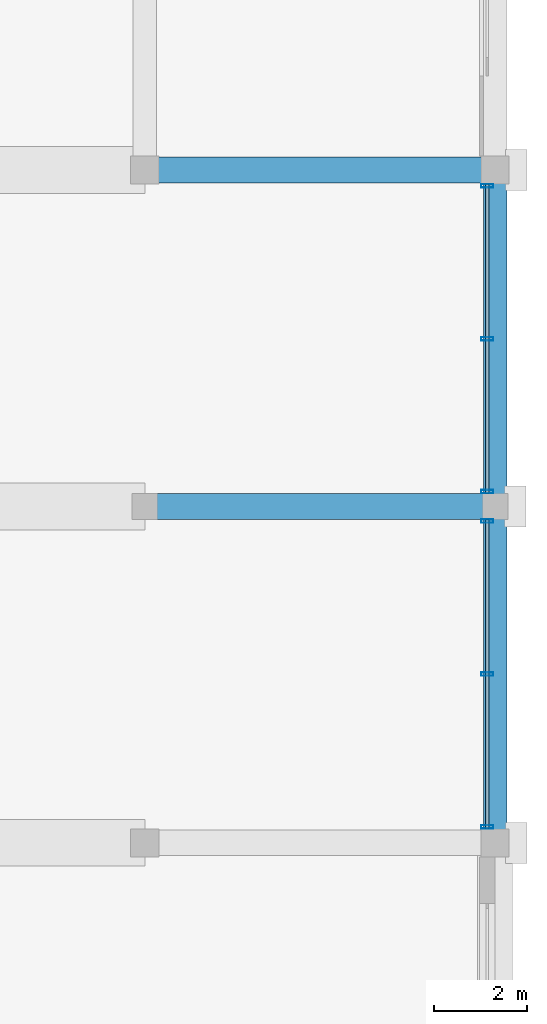
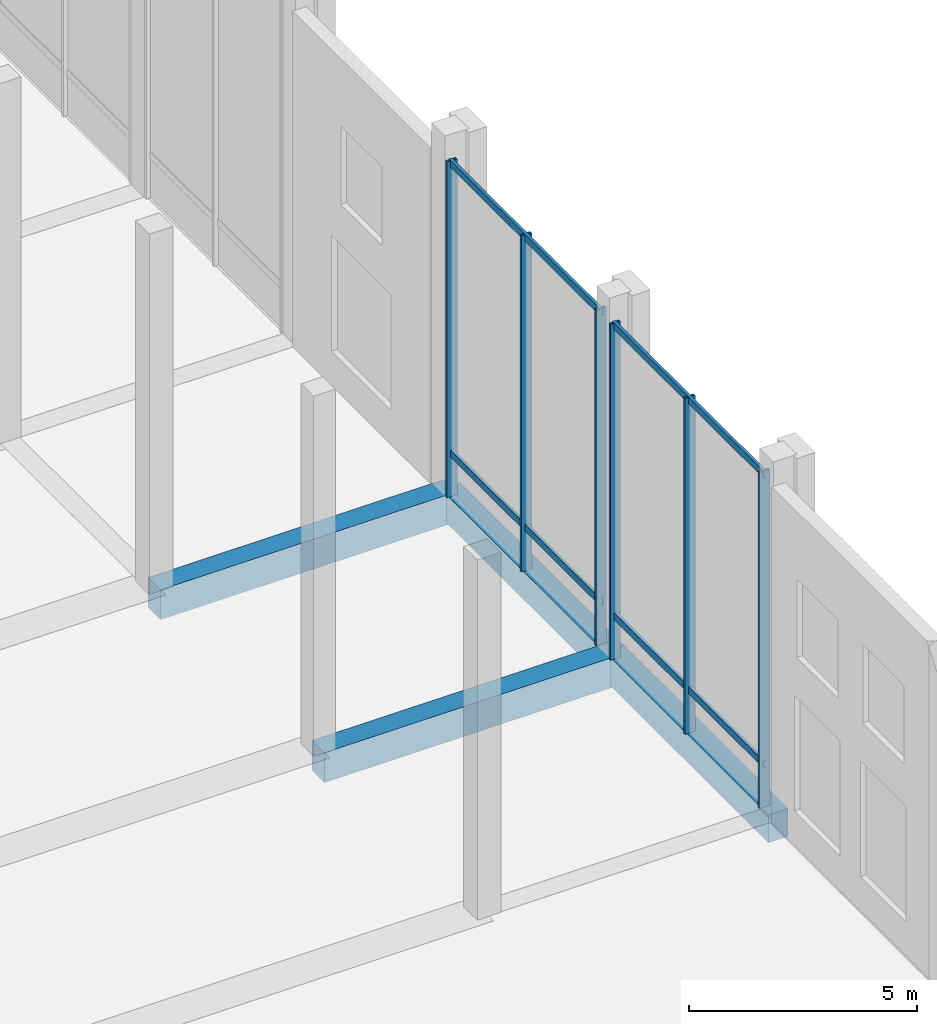
# One storey, part 43 of 80: 10 members, 4 beams, 2 elements without a shape of their own.
"""IFC4 building model written with IfcOpenShell, lengths in metres."""

from ifc_helpers import new_model, si_unit, direction, frame, origin, origin_2d, place, context, subcontext, project, spatial, rectangle, hollow_rectangle, extrude, material, material_profile, profile_set, type_object, element, aggregate, save


model = new_model("IFC4")

# Units and contexts
model_context = context("Model", 3, precision=1e-05, world=origin(), true_north=direction((0.0, 1.0)))
body_context = subcontext(model_context, "Body", "Model", "MODEL_VIEW")
ifc_project = project(units=[si_unit("LENGTHUNIT", "METRE"), si_unit("AREAUNIT", "SQUARE_METRE"), si_unit("VOLUMEUNIT", "CUBIC_METRE"), si_unit("PLANEANGLEUNIT", "RADIAN"), si_unit("MASSUNIT", "GRAM", prefix="KILO")], contexts=[model_context])

# Site, building, storey
site_placement = place(None, origin())
site = spatial("IfcSite", under=ifc_project, at=site_placement, CompositionType="ELEMENT")
building_placement = place(site_placement, origin())
building = spatial("IfcBuilding", under=site, at=building_placement, Name="Akrevak Sports Hall", CompositionType="ELEMENT")
storey_placement = place(building_placement, frame((0.0, 0.0, 14.0)))
storey = spatial("IfcBuildingStorey", under=building, at=storey_placement, Name="L03", CompositionType="ELEMENT", Elevation=14.0)

# Curtain wall, members
ifc_material_1 = material(Name="Anodized Bronze Aluminium & Low-E Glass", Category="aluminium")
curtain_wall_type = type_object("IfcCurtainWallType", Name="ARC-CW-POD-64x94", PredefinedType="NOTDEFINED", material=ifc_material_1)
curtain_wall_1_placement = place(storey_placement, origin())
curtain_wall_1 = element("IfcCurtainWall", 1, at=curtain_wall_1_placement, inside=storey, type_object=curtain_wall_type, Name="Curtain Wall CW-L03-E03", PredefinedType="NOTDEFINED")
ifc_material_2 = material(Name="Anodized Bronze Aluminium", Category="aluminium")
ifc_material_profile_1 = material_profile(ifc_material_2, hollow_rectangle(XDim=0.074951171875, YDim=0.260009765625, WallThickness=0.0048828125, at=origin_2d()), Name="CWM 75x260", Category="aluminium")
ifc_profile_set_1 = profile_set([ifc_material_profile_1], Name="Anodized Bronze Aluminium")
member_type_1 = type_object("IfcMemberType", Name="ARC-CWM-80x180", PredefinedType="MULLION", material=ifc_profile_set_1)
member_1_placement = place(storey_placement, frame((167.830078125, 14.739990234375, 0.0), z_axis=(0.0, 0.0, 1.0), x_axis=(0.0, 1.0, 0.0)))
member_1 = element("IfcMember", 2, at=member_1_placement, type_object=member_type_1, Name="Curtain Wall Mullion CW-L03-E03-M1", PredefinedType="MULLION", context=body_context, shape_type="SweptSolid", body=[
    extrude(hollow_rectangle(XDim=0.074951171875, YDim=0.260009765625, WallThickness=0.0048828125, at=origin_2d()), origin(), (0.0, 0.0, 1.0), 9.0),
])
member_2_placement = place(storey_placement, frame((167.830078125, 18.012451171875, 0.0), z_axis=(0.0, 0.0, 1.0), x_axis=(0.0, 1.0, 0.0)))
member_2 = element("IfcMember", 3, at=member_2_placement, type_object=member_type_1, Name="Curtain Wall Mullion CW-L03-E03-M2", PredefinedType="MULLION", context=body_context, shape_type="SweptSolid", body=[
    extrude(hollow_rectangle(XDim=0.074951171875, YDim=0.260009765625, WallThickness=0.0048828125, at=origin_2d()), origin(), (0.0, 0.0, 1.0), 9.0),
])
member_3_placement = place(storey_placement, frame((167.830078125, 21.284912109375, 0.0), z_axis=(0.0, 0.0, 1.0), x_axis=(0.0, 1.0, 0.0)))
member_3 = element("IfcMember", 4, at=member_3_placement, type_object=member_type_1, Name="Curtain Wall Mullion CW-L03-E03-M3", PredefinedType="MULLION", context=body_context, shape_type="SweptSolid", body=[
    extrude(hollow_rectangle(XDim=0.074951171875, YDim=0.260009765625, WallThickness=0.0048828125, at=origin_2d()), origin(), (0.0, 0.0, 1.0), 9.0),
])

curtain_wall_2_placement = place(storey_placement, origin())
curtain_wall_2 = element("IfcCurtainWall", 5, at=curtain_wall_2_placement, inside=storey, type_object=curtain_wall_type, Name="Curtain Wall CW-L03-E04", PredefinedType="NOTDEFINED")
member_4_placement = place(storey_placement, frame((167.830078125, 21.9150390625, 0.0), z_axis=(0.0, 0.0, 1.0), x_axis=(0.0, 1.0, 0.0)))
member_4 = element("IfcMember", 6, at=member_4_placement, type_object=member_type_1, Name="Curtain Wall Mullion CW-L03-E04-M1", PredefinedType="MULLION", context=body_context, shape_type="SweptSolid", body=[
    extrude(hollow_rectangle(XDim=0.074951171875, YDim=0.260009765625, WallThickness=0.0048828125, at=origin_2d()), origin(), (0.0, 0.0, 1.0), 9.0),
])
member_5_placement = place(storey_placement, frame((167.830078125, 25.1875, 0.0), z_axis=(0.0, 0.0, 1.0), x_axis=(0.0, 1.0, 0.0)))
member_5 = element("IfcMember", 7, at=member_5_placement, type_object=member_type_1, Name="Curtain Wall Mullion CW-L03-E04-M2", PredefinedType="MULLION", context=body_context, shape_type="SweptSolid", body=[
    extrude(hollow_rectangle(XDim=0.074951171875, YDim=0.260009765625, WallThickness=0.0048828125, at=origin_2d()), origin(), (0.0, 0.0, 1.0), 9.0),
])
member_6_placement = place(storey_placement, frame((167.830078125, 28.4599609375, 0.0), z_axis=(0.0, 0.0, 1.0), x_axis=(0.0, 1.0, 0.0)))
member_6 = element("IfcMember", 8, at=member_6_placement, type_object=member_type_1, Name="Curtain Wall Mullion CW-L03-E04-M3", PredefinedType="MULLION", context=body_context, shape_type="SweptSolid", body=[
    extrude(hollow_rectangle(XDim=0.074951171875, YDim=0.260009765625, WallThickness=0.0048828125, at=origin_2d()), origin(), (0.0, 0.0, 1.0), 9.0),
])

# Member
ifc_material_profile_2 = material_profile(ifc_material_2, hollow_rectangle(XDim=0.074951171875, YDim=0.18994140625, WallThickness=0.00439453125, at=origin_2d()), Name="CWT 75x190", Category="aluminium")
ifc_profile_set_2 = profile_set([ifc_material_profile_2], Name="Anodized Bronze Aluminium")
member_type_2 = type_object("IfcMemberType", Name="ARC-CWT-80x150", PredefinedType="USERDEFINED", material=ifc_profile_set_2)
member_7_placement = place(storey_placement, frame((167.830078125, 14.699951171875, 1.14990234375), z_axis=(0.0, 1.0, 0.0), x_axis=(-1.0, 0.0, 0.0)))
member_7 = element("IfcMember", 9, at=member_7_placement, type_object=member_type_2, Name="Curtain Wall Transom CW-L03-E03-T1", ObjectType="TRANSOM", PredefinedType="USERDEFINED", context=body_context, shape_type="SweptSolid", body=[
    extrude(hollow_rectangle(XDim=0.074951171875, YDim=0.18994140625, WallThickness=0.00439453125, at=origin_2d()), origin(), (0.0, 0.0, 1.0), 6.625),
])

member_8_placement = place(storey_placement, frame((167.830078125, 14.699951171875, 8.919921875), z_axis=(0.0, 1.0, 0.0), x_axis=(-1.0, 0.0, 0.0)))
member_8 = element("IfcMember", 10, at=member_8_placement, type_object=member_type_2, Name="Curtain Wall Transom CW-L03-E03-T2", ObjectType="TRANSOM", PredefinedType="USERDEFINED", context=body_context, shape_type="SweptSolid", body=[
    extrude(hollow_rectangle(XDim=0.074951171875, YDim=0.18994140625, WallThickness=0.00439453125, at=origin_2d()), origin(), (0.0, 0.0, 1.0), 6.625),
])

aggregate(curtain_wall_1, [member_1, member_2, member_3, member_7, member_8])

member_9_placement = place(storey_placement, frame((167.830078125, 21.875, 1.14990234375), z_axis=(0.0, 1.0, 0.0), x_axis=(-1.0, 0.0, 0.0)))
member_9 = element("IfcMember", 11, at=member_9_placement, type_object=member_type_2, Name="Curtain Wall Transom CW-L03-E04-T1", ObjectType="TRANSOM", PredefinedType="USERDEFINED", context=body_context, shape_type="SweptSolid", body=[
    extrude(hollow_rectangle(XDim=0.074951171875, YDim=0.18994140625, WallThickness=0.00439453125, at=origin_2d()), origin(), (0.0, 0.0, 1.0), 6.625),
])

member_10_placement = place(storey_placement, frame((167.830078125, 21.875, 8.919921875), z_axis=(0.0, 1.0, 0.0), x_axis=(-1.0, 0.0, 0.0)))
member_10 = element("IfcMember", 12, at=member_10_placement, type_object=member_type_2, Name="Curtain Wall Transom CW-L03-E04-T2", ObjectType="TRANSOM", PredefinedType="USERDEFINED", context=body_context, shape_type="SweptSolid", body=[
    extrude(hollow_rectangle(XDim=0.074951171875, YDim=0.18994140625, WallThickness=0.00439453125, at=origin_2d()), origin(), (0.0, 0.0, 1.0), 6.625),
])

aggregate(curtain_wall_2, [member_4, member_5, member_6, member_9, member_10])

# Beams
ifc_material_3 = material(Name="Concrete C40/50", Category="concrete")
ifc_material_profile_3 = material_profile(ifc_material_3, rectangle(XDim=0.5, YDim=0.75, at=origin_2d()), Name="BM 500x750", Category="concrete")
ifc_profile_set_3 = profile_set([ifc_material_profile_3], Name="Concrete C40/50")
beam_type_1 = type_object("IfcBeamType", Name="STR-BM-RC500x750", PredefinedType="BEAM", material=ifc_profile_set_3)
beam_1_placement = place(storey_placement, frame((168.0, 14.39990234375, -0.375), z_axis=(0.0, 1.0, 0.0), x_axis=(-1.0, 0.0, 0.0)))
element("IfcBeam", 13, at=beam_1_placement, inside=storey, type_object=beam_type_1, Name="Girder 23/C-D (L03)", PredefinedType="BEAM", context=body_context, shape_type="SweptSolid", body=[
    extrude(rectangle(XDim=0.5, YDim=0.75, at=origin_2d()), origin(), (0.0, 0.0, 1.0), 7.2001953125),
])
beam_2_placement = place(storey_placement, frame((168.0, 21.60009765625, -0.375), z_axis=(0.0, 1.0, 0.0), x_axis=(-1.0, 0.0, 0.0)))
element("IfcBeam", 14, at=beam_2_placement, inside=storey, type_object=beam_type_1, Name="Girder 23/D-E (L03)", PredefinedType="BEAM", context=body_context, shape_type="SweptSolid", body=[
    extrude(rectangle(XDim=0.5, YDim=0.75, at=origin_2d()), origin(), (0.0, 0.0, 1.0), 7.199951171875),
])
ifc_material_profile_4 = material_profile(ifc_material_3, rectangle(XDim=0.550048828125, YDim=0.800048828125, at=origin_2d()), Name="BM 550x800", Category="concrete")
ifc_profile_set_4 = profile_set([ifc_material_profile_4], Name="Concrete C40/50")
beam_type_2 = type_object("IfcBeamType", Name="STR-BM-RC550x800", PredefinedType="BEAM", material=ifc_profile_set_4)
for number, where, z_axis, x_axis, name in (
    (15, (160.5, 21.60009765625, -0.39990234375), (1.0, 0.0, 0.0), (0.0, 1.0, 0.0), "Girder D/22-23 (L03)"),
    (16, (160.5, 28.800048828125, -0.39990234375), (1.0, 0.0, 0.0), (0.0, 1.0, 0.0), "Girder E/22-23 (L03)"),
):
    element("IfcBeam", number, at=place(storey_placement, frame(where, z_axis=z_axis, x_axis=x_axis)), inside=storey, type_object=beam_type_2, Name=name, PredefinedType="BEAM", context=body_context, shape_type="SweptSolid", body=[
        extrude(rectangle(XDim=0.550048828125, YDim=0.800048828125, at=origin_2d()), origin(), (0.0, 0.0, 1.0), 7.5),
    ])

save(model, "model.ifc")
